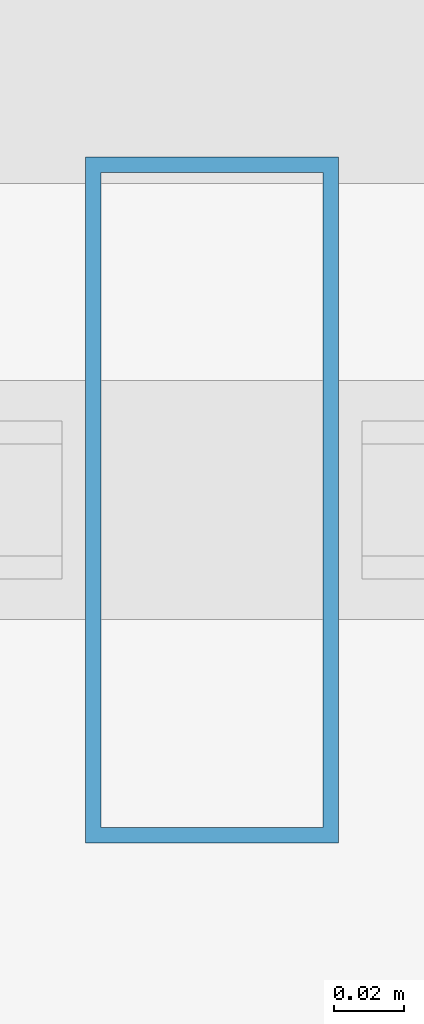
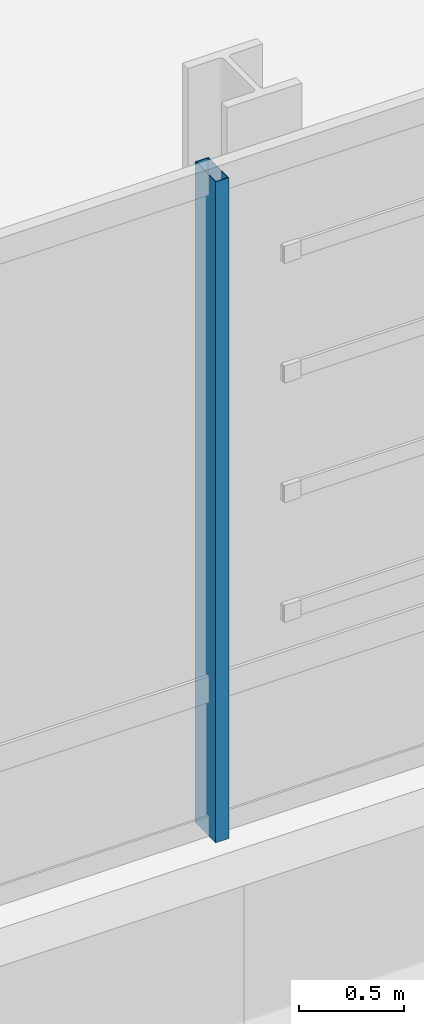
# One storey, part 6 of 36: 1 member, 1 element without a shape of its own.
"""IFC4 building model written with IfcOpenShell, lengths in metres."""

from ifc_helpers import new_model, si_unit, direction, frame, origin, origin_2d, place, context, subcontext, project, spatial, hollow_rectangle, extrude, material, material_profile, profile_set, type_object, element, aggregate, save


model = new_model("IFC4")

# Units and contexts
model_context = context("Model", 3, precision=1e-05, world=origin(), true_north=direction((0.0, 1.0)))
body_context = subcontext(model_context, "Body", "Model", "MODEL_VIEW")
ifc_project = project(units=[si_unit("LENGTHUNIT", "METRE"), si_unit("AREAUNIT", "SQUARE_METRE"), si_unit("VOLUMEUNIT", "CUBIC_METRE"), si_unit("PLANEANGLEUNIT", "RADIAN"), si_unit("MASSUNIT", "GRAM", prefix="KILO")], contexts=[model_context])

# Site, building, storey
site_placement = place(None, origin())
site = spatial("IfcSite", under=ifc_project, at=site_placement, CompositionType="ELEMENT")
building_placement = place(site_placement, origin())
building = spatial("IfcBuilding", under=site, at=building_placement, Name="Punatoya Terracotta Tower", CompositionType="ELEMENT")
storey_placement = place(building_placement, frame((0.0, 0.0, 180.300048828125)))
storey = spatial("IfcBuildingStorey", under=building, at=storey_placement, Name="L42", CompositionType="ELEMENT", Elevation=180.300048828125)

# Curtain wall, member
ifc_material_1 = material(Name="Aluminium 6063-T6 + Double Low-E Glass", Category="aluminium")
curtain_wall_type = type_object("IfcCurtainWallType", Name="CW-M2", PredefinedType="NOTDEFINED", material=ifc_material_1)
curtain_wall_placement = place(storey_placement, origin())
curtain_wall = element("IfcCurtainWall", 1, at=curtain_wall_placement, inside=storey, type_object=curtain_wall_type, Name="L42 Curtain Wall CW-L42-S01-1", PredefinedType="NOTDEFINED")
ifc_material_2 = material(Name="Aluminium 6063-T6", Category="aluminium")
ifc_material_profile = material_profile(ifc_material_2, hollow_rectangle(XDim=0.072021484375, YDim=0.195068359375, WallThickness=0.00439453125, at=origin_2d()))
ifc_profile_set = profile_set([ifc_material_profile], Name="Aluminium 6063-T6")
member_type = type_object("IfcMemberType", Name="CW-MUL-M2", PredefinedType="MULLION", material=ifc_profile_set)
member_placement = place(storey_placement, frame((-4.1669921875, -23.25, 0.0), z_axis=(0.0, 0.0, 1.0), x_axis=(1.0, 0.0, 0.0)))
member = element("IfcMember", 2, at=member_placement, type_object=member_type, Name="CW-L42-S01-1 Mullion 05", PredefinedType="MULLION", context=body_context, shape_type="SweptSolid", body=[
    extrude(hollow_rectangle(XDim=0.072021484375, YDim=0.195068359375, WallThickness=0.00439453125, at=origin_2d()), origin(), (0.0, 0.0, 1.0), 3.829833984375),
])
aggregate(curtain_wall, [member])

save(model, "model.ifc")
